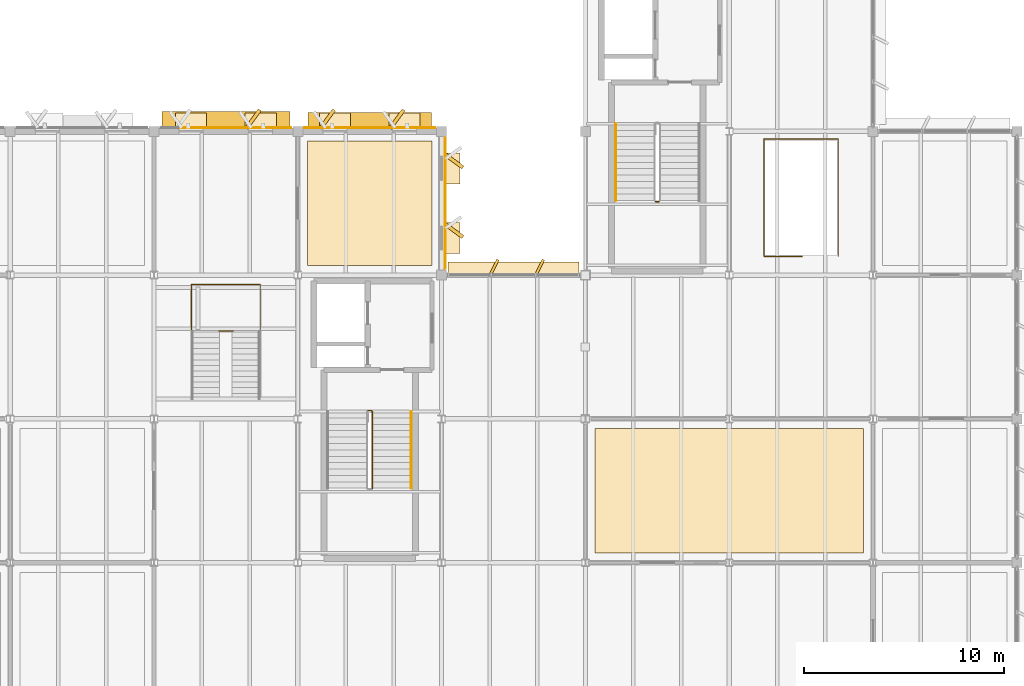
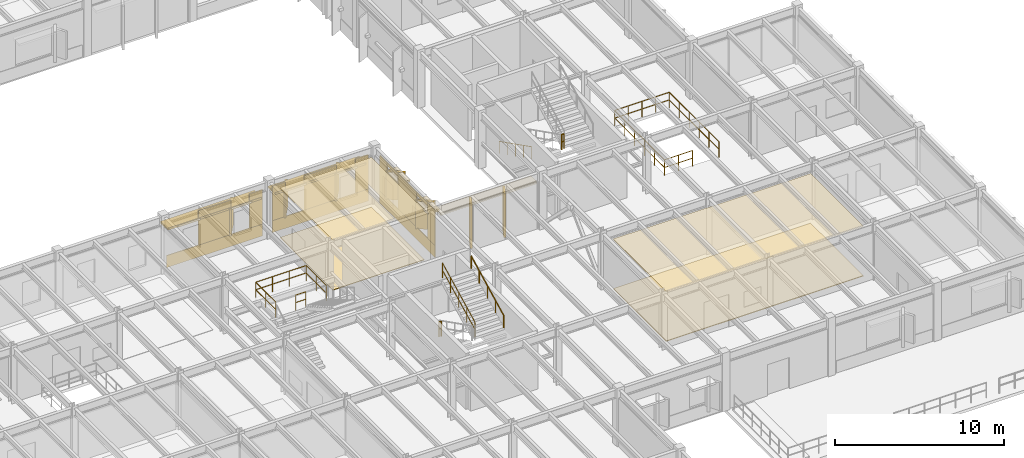
# One storey, part 78 of 85: 30 coverings, 8 railings, 2 shading devices.
"""IFC4 building model written with IfcOpenShell, lengths in metres."""

from ifc_helpers import new_model, si_unit, direction, frame, frame_2d, origin, origin_2d, place, context, subcontext, project, spatial, polyline, rectangle, circle, outline, extrude, material, layer, layer_set, type_object, element, save


model = new_model("IFC4")

# Units and contexts
model_context = context("Model", 3, precision=1e-05, world=origin(), true_north=direction((0.0, 1.0)))
body_context = subcontext(model_context, "Body", "Model", "MODEL_VIEW")
ifc_project = project(units=[si_unit("LENGTHUNIT", "METRE"), si_unit("AREAUNIT", "SQUARE_METRE"), si_unit("VOLUMEUNIT", "CUBIC_METRE"), si_unit("PLANEANGLEUNIT", "RADIAN"), si_unit("MASSUNIT", "GRAM", prefix="KILO")], contexts=[model_context])

# Site, building, storey
site_placement = place(None, origin())
site = spatial("IfcSite", under=ifc_project, at=site_placement, CompositionType="ELEMENT")
building_placement = place(site_placement, origin())
building = spatial("IfcBuilding", under=site, at=building_placement, Name="Sillqori Civic Hall", CompositionType="ELEMENT")
storey_placement = place(building_placement, frame((0.0, 0.0, 9.89990234375)))
storey = spatial("IfcBuildingStorey", under=building, at=storey_placement, Name="L03", CompositionType="ELEMENT", Elevation=9.89990234375)

# Coverings
ifc_material_1 = material(Name="Acoustic Gypsum Board Assembly 28", Category="gypsum")
ifc_layer_1 = layer(ifc_material_1, 0.028076171875)
ifc_layer_set_1 = layer_set([ifc_layer_1], Name="Acoustic Gypsum Board Assembly 28")
covering_type_1 = type_object("IfcCoveringType", Name="COV-CEIL-G28", PredefinedType="CEILING", material=ifc_layer_set_1)
covering_1_placement = place(storey_placement, frame((0.0, 0.0, 3.593017578125)))
element("IfcCovering", 1, at=covering_1_placement, inside=storey, type_object=covering_type_1, Name="Youth Municipal Council Workshop Studio L03-19 acoustic ceiling", PredefinedType="CEILING", context=body_context, shape_type="SweptSolid", body=[
    extrude(outline(polyline([(108.47998046875, 50.8798828125), (114.719970703125, 50.8798828125), (114.719970703125, 57.1201171875), (108.47998046875, 57.1201171875), (108.47998046875, 50.8798828125)])), origin(), (0.0, 0.0, 1.0), 0.028076171875),
])
ifc_material_2 = material(Name="Andean Cedar Slatted Baffle 46", Category="timber")
ifc_layer_2 = layer(ifc_material_2, 0.0458984375)
ifc_layer_set_2 = layer_set([ifc_layer_2], Name="Andean Cedar Slatted Baffle 46")
covering_type_2 = type_object("IfcCoveringType", Name="COV-CEIL-T46", PredefinedType="CEILING", material=ifc_layer_set_2)
covering_2_placement = place(storey_placement, frame((0.0, 0.0, 3.5751953125)))
element("IfcCovering", 2, at=covering_2_placement, inside=storey, type_object=covering_type_2, Name="Members Library Quiet Study Reading Room acoustic ceiling", PredefinedType="CEILING", context=body_context, shape_type="SweptSolid", body=[
    extrude(outline(polyline([(122.8798828125, 36.47998046875), (136.320068359375, 36.47998046875), (136.320068359375, 42.719970703125), (122.8798828125, 42.719970703125), (122.8798828125, 36.47998046875)])), origin(), (0.0, 0.0, 1.0), 0.0458984375),
])
ifc_material_3 = material(Name="Cochabamba Honed Limestone Cladding", Category="masonry")
ifc_layer_3 = layer(ifc_material_3, 0.044921875)
ifc_layer_set_3 = layer_set([ifc_layer_3], Name="Cochabamba Honed Limestone Cladding")
covering_type_3 = type_object("IfcCoveringType", Name="COV-CLAD-LIME", PredefinedType="CLADDING", material=ifc_layer_set_3)
covering_3_placement = place(storey_placement, frame((101.1298828125, 57.780029296875, 0.0400390625), z_axis=(0.0, 0.0, 1.0), x_axis=(1.0, 0.0, 0.0)))
element("IfcCovering", 3, at=covering_3_placement, inside=storey, type_object=covering_type_3, Name="L03 limestone spandrel cladding L03-14-07-N", PredefinedType="CLADDING", context=body_context, shape_type="SweptSolid", body=[
    extrude(rectangle(XDim=6.5400390625, YDim=0.044921875, at=frame_2d((3.27001953125, 0.0))), origin(), (0.0, 0.0, 1.0), 0.860107421875),
])
covering_4_placement = place(storey_placement, frame((103.298095703125, 57.780029296875, 0.900146484375), z_axis=(0.0, 0.0, 1.0), x_axis=(1.0, 0.0, 0.0)))
element("IfcCovering", 4, at=covering_4_placement, inside=storey, type_object=covering_type_3, Name="L03 Wedge Hall limestone pier cladding L03-14-07-N.2", PredefinedType="CLADDING", context=body_context, shape_type="SweptSolid", body=[
    extrude(rectangle(XDim=2.203857421875, YDim=0.044921875, at=frame_2d((1.10205078125, 0.0))), origin(), (0.0, 0.0, 1.0), 2.47802734375),
])
covering_5_placement = place(storey_placement, frame((106.781982421875, 57.780029296875, 0.900146484375), z_axis=(0.0, 0.0, 1.0), x_axis=(1.0, 0.0, 0.0)))
element("IfcCovering", 5, at=covering_5_placement, inside=storey, type_object=covering_type_3, Name="L03 Wedge Hall limestone pier cladding L03-14-07-N.3", PredefinedType="CLADDING", context=body_context, shape_type="SweptSolid", body=[
    extrude(rectangle(XDim=0.887939453125, YDim=0.044921875, at=frame_2d((0.44384765625, 0.0))), origin(), (0.0, 0.0, 1.0), 2.47802734375),
])
covering_6_placement = place(storey_placement, frame((101.8779296875, 58.1201171875, 2.690185546875), z_axis=(0.0, 0.0, 1.0), x_axis=(1.0, 0.0, 0.0)))
element("IfcCovering", 6, at=covering_6_placement, inside=storey, type_object=covering_type_3, Name="Sawtooth limestone window hood L03-14-07-N.1", PredefinedType="CLADDING", context=body_context, shape_type="SweptSolid", body=[
    extrude(rectangle(XDim=1.56005859375, YDim=0.780029296875, at=frame_2d((0.780029296875, 0.0))), origin(), (0.0, 0.0, 1.0), 0.139892578125),
])
covering_7_placement = place(storey_placement, frame((105.422119140625, 57.739990234375, 0.830078125), z_axis=(0.0, 0.0, 1.0), x_axis=(0.587666635914, 0.809103160934, 0.0)))
element("IfcCovering", 7, at=covering_7_placement, inside=storey, type_object=covering_type_3, Name="Sawtooth limestone angled reveal cheek L03-14-07-N.2", PredefinedType="CLADDING", context=body_context, shape_type="SweptSolid", body=[
    extrude(rectangle(XDim=1.14990234375, YDim=0.179931640625, at=frame_2d((0.574951171875, 0.0))), origin(), (0.0, 0.0, 1.0), 2.0),
])
covering_8_placement = place(storey_placement, frame((105.362060546875, 58.1201171875, 2.690185546875), z_axis=(0.0, 0.0, 1.0), x_axis=(1.0, 0.0, 0.0)))
element("IfcCovering", 8, at=covering_8_placement, inside=storey, type_object=covering_type_3, Name="Sawtooth limestone window hood L03-14-07-N.2", PredefinedType="CLADDING", context=body_context, shape_type="SweptSolid", body=[
    extrude(rectangle(XDim=1.56005859375, YDim=0.780029296875, at=frame_2d((0.780029296875, 0.0))), origin(), (0.0, 0.0, 1.0), 0.139892578125),
])
covering_9_placement = place(storey_placement, frame((108.330078125, 57.780029296875, 0.0400390625), z_axis=(0.0, 0.0, 1.0), x_axis=(1.0, 0.0, 0.0)))
element("IfcCovering", 9, at=covering_9_placement, inside=storey, type_object=covering_type_3, Name="L03 limestone spandrel cladding L03-15-07-N", PredefinedType="CLADDING", context=body_context, shape_type="SweptSolid", body=[
    extrude(rectangle(XDim=6.5400390625, YDim=0.044921875, at=frame_2d((3.27001953125, 0.0))), origin(), (0.0, 0.0, 1.0), 0.860107421875),
])
covering_10_placement = place(storey_placement, frame((108.330078125, 57.780029296875, 0.900146484375), z_axis=(0.0, 0.0, 1.0), x_axis=(1.0, 0.0, 0.0)))
element("IfcCovering", 10, at=covering_10_placement, inside=storey, type_object=covering_type_3, Name="L03 Wedge Hall limestone pier cladding L03-15-07-N.1", PredefinedType="CLADDING", context=body_context, shape_type="SweptSolid", body=[
    extrude(rectangle(XDim=0.887939453125, YDim=0.044921875, at=frame_2d((0.44384765625, 0.0))), origin(), (0.0, 0.0, 1.0), 2.47802734375),
])
covering_11_placement = place(storey_placement, frame((110.498046875, 57.780029296875, 0.900146484375), z_axis=(0.0, 0.0, 1.0), x_axis=(1.0, 0.0, 0.0)))
element("IfcCovering", 11, at=covering_11_placement, inside=storey, type_object=covering_type_3, Name="L03 Wedge Hall limestone pier cladding L03-15-07-N.2", PredefinedType="CLADDING", context=body_context, shape_type="SweptSolid", body=[
    extrude(rectangle(XDim=2.203857421875, YDim=0.044921875, at=frame_2d((1.10205078125, 0.0))), origin(), (0.0, 0.0, 1.0), 2.47802734375),
])
covering_12_placement = place(storey_placement, frame((113.98193359375, 57.780029296875, 0.900146484375), z_axis=(0.0, 0.0, 1.0), x_axis=(1.0, 0.0, 0.0)))
element("IfcCovering", 12, at=covering_12_placement, inside=storey, type_object=covering_type_3, Name="L03 Wedge Hall limestone pier cladding L03-15-07-N.3", PredefinedType="CLADDING", context=body_context, shape_type="SweptSolid", body=[
    extrude(rectangle(XDim=0.88818359375, YDim=0.044921875, at=frame_2d((0.444091796875, 0.0))), origin(), (0.0, 0.0, 1.0), 2.47802734375),
])
covering_13_placement = place(storey_placement, frame((109.137939453125, 57.739990234375, 0.830078125), z_axis=(0.0, 0.0, 1.0), x_axis=(0.587805596445, 0.809002213092, 0.0)))
element("IfcCovering", 13, at=covering_13_placement, inside=storey, type_object=covering_type_3, Name="Sawtooth limestone angled reveal cheek L03-15-07-N.1", PredefinedType="CLADDING", context=body_context, shape_type="SweptSolid", body=[
    extrude(rectangle(XDim=1.150146484375, YDim=0.179931640625, at=frame_2d((0.5751953125, 0.0))), origin(), (0.0, 0.0, 1.0), 2.0),
])
covering_14_placement = place(storey_placement, frame((109.077880859375, 58.1201171875, 2.690185546875), z_axis=(0.0, 0.0, 1.0), x_axis=(1.0, 0.0, 0.0)))
element("IfcCovering", 14, at=covering_14_placement, inside=storey, type_object=covering_type_3, Name="Sawtooth limestone window hood L03-15-07-N.1", PredefinedType="CLADDING", context=body_context, shape_type="SweptSolid", body=[
    extrude(rectangle(XDim=1.56005859375, YDim=0.780029296875, at=frame_2d((0.780029296875, 0.0))), origin(), (0.0, 0.0, 1.0), 0.139892578125),
])
covering_15_placement = place(storey_placement, frame((112.6220703125, 57.739990234375, 0.830078125), z_axis=(0.0, 0.0, 1.0), x_axis=(0.587805596445, 0.809002213092, 0.0)))
element("IfcCovering", 15, at=covering_15_placement, inside=storey, type_object=covering_type_3, Name="Sawtooth limestone angled reveal cheek L03-15-07-N.2", PredefinedType="CLADDING", context=body_context, shape_type="SweptSolid", body=[
    extrude(rectangle(XDim=1.150146484375, YDim=0.179931640625, at=frame_2d((0.5751953125, 0.0))), origin(), (0.0, 0.0, 1.0), 2.0),
])
covering_16_placement = place(storey_placement, frame((112.56201171875, 58.1201171875, 2.690185546875), z_axis=(0.0, 0.0, 1.0), x_axis=(1.0, 0.0, 0.0)))
element("IfcCovering", 16, at=covering_16_placement, inside=storey, type_object=covering_type_3, Name="Sawtooth limestone window hood L03-15-07-N.2", PredefinedType="CLADDING", context=body_context, shape_type="SweptSolid", body=[
    extrude(rectangle(XDim=1.56005859375, YDim=0.780029296875, at=frame_2d((0.780029296875, 0.0))), origin(), (0.0, 0.0, 1.0), 0.139892578125),
])
covering_17_placement = place(storey_placement, frame((115.3798828125, 57.27001953125, 0.0400390625), z_axis=(0.0, 0.0, 1.0), x_axis=(0.0, -1.0, 0.0)))
element("IfcCovering", 17, at=covering_17_placement, inside=storey, type_object=covering_type_3, Name="L03 limestone spandrel cladding L03-15-07-E", PredefinedType="CLADDING", context=body_context, shape_type="SweptSolid", body=[
    extrude(rectangle(XDim=6.5400390625, YDim=0.044921875, at=frame_2d((3.27001953125, 0.0))), origin(), (0.0, 0.0, 1.0), 0.860107421875),
])
covering_18_placement = place(storey_placement, frame((115.3798828125, 57.27001953125, 3.22021484375), z_axis=(0.0, 0.0, 1.0), x_axis=(0.0, -1.0, 0.0)))
element("IfcCovering", 18, at=covering_18_placement, inside=storey, type_object=covering_type_3, Name="L03 limestone frieze cladding L03-15-07-E", PredefinedType="CLADDING", context=body_context, shape_type="SweptSolid", body=[
    extrude(rectangle(XDim=6.5400390625, YDim=0.044921875, at=frame_2d((3.27001953125, 0.0))), origin(), (0.0, 0.0, 1.0), 0.226806640625),
])
covering_19_placement = place(storey_placement, frame((115.3798828125, 57.27001953125, 0.900146484375), z_axis=(0.0, 0.0, 1.0), x_axis=(0.0, -1.0, 0.0)))
element("IfcCovering", 19, at=covering_19_placement, inside=storey, type_object=covering_type_3, Name="L03 Wedge Hall limestone pier cladding L03-15-07-E.1", PredefinedType="CLADDING", context=body_context, shape_type="SweptSolid", body=[
    extrude(rectangle(XDim=0.887939453125, YDim=0.044921875, at=frame_2d((0.44384765625, 0.0))), origin(), (0.0, 0.0, 1.0), 2.546875),
])
covering_20_placement = place(storey_placement, frame((115.3798828125, 55.10205078125, 0.900146484375), z_axis=(0.0, 0.0, 1.0), x_axis=(0.0, -1.0, 0.0)))
element("IfcCovering", 20, at=covering_20_placement, inside=storey, type_object=covering_type_3, Name="L03 Wedge Hall limestone pier cladding L03-15-07-E.2", PredefinedType="CLADDING", context=body_context, shape_type="SweptSolid", body=[
    extrude(rectangle(XDim=2.2041015625, YDim=0.044921875, at=frame_2d((1.10205078125, 0.0))), origin(), (0.0, 0.0, 1.0), 2.546875),
])
covering_21_placement = place(storey_placement, frame((115.3798828125, 51.617919921875, 0.900146484375), z_axis=(0.0, 0.0, 1.0), x_axis=(0.0, -1.0, 0.0)))
element("IfcCovering", 21, at=covering_21_placement, inside=storey, type_object=covering_type_3, Name="L03 Wedge Hall limestone pier cladding L03-15-07-E.3", PredefinedType="CLADDING", context=body_context, shape_type="SweptSolid", body=[
    extrude(rectangle(XDim=0.887939453125, YDim=0.044921875, at=frame_2d((0.44384765625, 0.0))), origin(), (0.0, 0.0, 1.0), 2.546875),
])
covering_22_placement = place(storey_placement, frame((115.340087890625, 56.4619140625, 0.830078125), z_axis=(0.0, 0.0, 1.0), x_axis=(0.809002213092, -0.587805596445, 0.0)))
element("IfcCovering", 22, at=covering_22_placement, inside=storey, type_object=covering_type_3, Name="Sawtooth limestone angled reveal cheek L03-15-07-E.1", PredefinedType="CLADDING", context=body_context, shape_type="SweptSolid", body=[
    extrude(rectangle(XDim=1.150146484375, YDim=0.179931640625, at=frame_2d((0.5751953125, 0.0))), origin(), (0.0, 0.0, 1.0), 2.0),
])
covering_23_placement = place(storey_placement, frame((115.719970703125, 56.52197265625, 2.690185546875), z_axis=(0.0, 0.0, 1.0), x_axis=(0.0, -1.0, 0.0)))
element("IfcCovering", 23, at=covering_23_placement, inside=storey, type_object=covering_type_3, Name="Sawtooth limestone window hood L03-15-07-E.1", PredefinedType="CLADDING", context=body_context, shape_type="SweptSolid", body=[
    extrude(rectangle(XDim=1.56005859375, YDim=0.780029296875, at=frame_2d((0.780029296875, 0.0))), origin(), (0.0, 0.0, 1.0), 0.139892578125),
])
covering_24_placement = place(storey_placement, frame((115.340087890625, 52.97802734375, 0.830078125), z_axis=(0.0, 0.0, 1.0), x_axis=(0.809002213092, -0.587805596445, 0.0)))
element("IfcCovering", 24, at=covering_24_placement, inside=storey, type_object=covering_type_3, Name="Sawtooth limestone angled reveal cheek L03-15-07-E.2", PredefinedType="CLADDING", context=body_context, shape_type="SweptSolid", body=[
    extrude(rectangle(XDim=1.150146484375, YDim=0.179931640625, at=frame_2d((0.5751953125, 0.0))), origin(), (0.0, 0.0, 1.0), 2.0),
])
covering_25_placement = place(storey_placement, frame((115.719970703125, 53.0380859375, 2.690185546875), z_axis=(0.0, 0.0, 1.0), x_axis=(0.0, -1.0, 0.0)))
element("IfcCovering", 25, at=covering_25_placement, inside=storey, type_object=covering_type_3, Name="Sawtooth limestone window hood L03-15-07-E.2", PredefinedType="CLADDING", context=body_context, shape_type="SweptSolid", body=[
    extrude(rectangle(XDim=1.56005859375, YDim=0.780029296875, at=frame_2d((0.780029296875, 0.0))), origin(), (0.0, 0.0, 1.0), 0.139892578125),
])
covering_26_placement = place(storey_placement, frame((115.530029296875, 50.719970703125, 3.218017578125), z_axis=(0.0, 0.0, 1.0), x_axis=(1.0, 0.0, 0.0)))
element("IfcCovering", 26, at=covering_26_placement, inside=storey, type_object=covering_type_3, Name="L03 curtain-wall limestone solar hood L03-16-06-N", PredefinedType="CLADDING", context=body_context, shape_type="SweptSolid", body=[
    extrude(rectangle(XDim=6.5400390625, YDim=0.679931640625, at=frame_2d((3.27001953125, 0.0))), origin(), (0.0, 0.0, 1.0), 0.18017578125),
])
for number, where, z_axis, x_axis, name in (
    (27, (117.660888671875, 50.449951171875, 0.06005859375), (0.0, 0.0, 1.0), (0.447334902547, 0.894366527193, 0.0), "L03 curtain-wall angled stone fin L03-16-06-N.1"),
    (28, (119.93896484375, 50.449951171875, 0.06005859375), (0.0, 0.0, 1.0), (0.447334902547, 0.894366527193, 0.0), "L03 curtain-wall angled stone fin L03-16-06-N.2"),
):
    element("IfcCovering", number, at=place(storey_placement, frame(where, z_axis=z_axis, x_axis=x_axis)), inside=storey, type_object=covering_type_3, Name=name, PredefinedType="CLADDING", context=body_context, shape_type="SweptSolid", body=[
        extrude(rectangle(XDim=0.804931640625, YDim=0.139892578125, at=frame_2d((0.40234375, 0.0))), origin(), (0.0, 0.0, 1.0), 3.157958984375),
    ])
ifc_material_4 = material(Name="Honed Comanche Sandstone Paving 38", Category="masonry")
ifc_layer_4 = layer(ifc_material_4, 0.0380859375)
ifc_layer_set_4 = layer_set([ifc_layer_4], Name="Honed Comanche Sandstone Paving 38")
covering_type_4 = type_object("IfcCoveringType", Name="COV-FLR-S38", PredefinedType="FLOORING", material=ifc_layer_set_4)
covering_27_placement = place(storey_placement, origin())
element("IfcCovering", 29, at=covering_27_placement, inside=storey, type_object=covering_type_4, Name="Youth Municipal Council Workshop Studio L03-19 floor finish", PredefinedType="FLOORING", context=body_context, shape_type="SweptSolid", body=[
    extrude(outline(polyline([(108.47998046875, 50.8798828125), (114.719970703125, 50.8798828125), (114.719970703125, 57.1201171875), (108.47998046875, 57.1201171875), (108.47998046875, 50.8798828125)])), origin(), (0.0, 0.0, 1.0), 0.0380859375),
])
ifc_material_5 = material(Name="Thick Ceremonial Limestone Flagstone 50", Category="masonry")
ifc_layer_5 = layer(ifc_material_5, 0.050048828125)
ifc_layer_set_5 = layer_set([ifc_layer_5], Name="Thick Ceremonial Limestone Flagstone 50")
covering_type_5 = type_object("IfcCoveringType", Name="COV-FLR-S50", PredefinedType="FLOORING", material=ifc_layer_set_5)
covering_28_placement = place(storey_placement, origin())
element("IfcCovering", 30, at=covering_28_placement, inside=storey, type_object=covering_type_5, Name="Members Library Quiet Study Reading Room floor finish", PredefinedType="FLOORING", context=body_context, shape_type="SweptSolid", body=[
    extrude(outline(polyline([(122.8798828125, 36.47998046875), (136.320068359375, 36.47998046875), (136.320068359375, 42.719970703125), (122.8798828125, 42.719970703125), (122.8798828125, 36.47998046875)])), origin(), (0.0, 0.0, 1.0), 0.050048828125),
])

# Railings
ifc_material_6 = material(Name="Architectural Bronze and Tempered Glass Balustrade", Category="glass")
ifc_layer_6 = layer(ifc_material_6, 0.080078125)
ifc_layer_set_6 = layer_set([ifc_layer_6], Name="Architectural Bronze and Tempered Glass Balustrade")
railing_type_1 = type_object("IfcRailingType", Name="RLG-BALU-115", PredefinedType="BALUSTRADE", material=ifc_layer_set_6)
railing_1_placement = place(storey_placement, frame((133.260009765625, 51.340087890625, 0.0)))
element("IfcRailing", 31, at=railing_1_placement, inside=storey, type_object=railing_type_1, Name="Members Library Stacks Stair L02-L03 upper atrium well balustrade", PredefinedType="BALUSTRADE", context=body_context, shape_type="SweptSolid", body=[
    extrude(circle(Radius=0.02392578125, at=origin_2d()), frame((0.0, 0.0, 1.1259765625), z_axis=(-1.0, 0.0, 0.0), x_axis=(0.0, -1.0, 0.0)), (0.0, 0.0, 1.0), 1.919921875),
    extrude(circle(Radius=0.02392578125, at=origin_2d()), frame((0.0, 0.0, 0.574951171875), z_axis=(-1.0, 0.0, 0.0), x_axis=(0.0, -1.0, 0.0)), (0.0, 0.0, 1.0), 1.919921875),
    extrude(circle(Radius=0.02392578125, at=origin_2d()), frame((-1.919921875, 0.0, 1.1259765625), z_axis=(0.0, 1.0, 0.0), x_axis=(-1.0, 0.0, 0.0)), (0.0, 0.0, 1.0), 5.869873046875),
    extrude(circle(Radius=0.02392578125, at=origin_2d()), frame((-1.919921875, 0.0, 0.574951171875), z_axis=(0.0, 1.0, 0.0), x_axis=(-1.0, 0.0, 0.0)), (0.0, 0.0, 1.0), 5.869873046875),
    extrude(circle(Radius=0.02392578125, at=origin_2d()), frame((-1.919921875, 5.869873046875, 1.1259765625), z_axis=(1.0, 0.0, 0.0), x_axis=(0.0, 1.0, 0.0)), (0.0, 0.0, 1.0), 3.719970703125),
    extrude(circle(Radius=0.02392578125, at=origin_2d()), frame((-1.919921875, 5.869873046875, 0.574951171875), z_axis=(1.0, 0.0, 0.0), x_axis=(0.0, 1.0, 0.0)), (0.0, 0.0, 1.0), 3.719970703125),
    extrude(circle(Radius=0.02392578125, at=origin_2d()), frame((1.800048828125, 5.869873046875, 1.1259765625), z_axis=(0.0, -1.0, 0.0), x_axis=(1.0, 0.0, 0.0)), (0.0, 0.0, 1.0), 5.869873046875),
    extrude(circle(Radius=0.02392578125, at=origin_2d()), frame((1.800048828125, 5.869873046875, 0.574951171875), z_axis=(0.0, -1.0, 0.0), x_axis=(1.0, 0.0, 0.0)), (0.0, 0.0, 1.0), 5.869873046875),
    extrude(circle(Radius=0.02099609375, at=origin_2d()), origin(), (0.0, 0.0, 1.0), 1.101806640625),
    extrude(circle(Radius=0.02099609375, at=origin_2d()), frame((-0.9599609375, 0.0, 0.0)), (0.0, 0.0, 1.0), 1.101806640625),
    extrude(circle(Radius=0.02099609375, at=origin_2d()), frame((-1.919921875, 0.0, 0.0)), (0.0, 0.0, 1.0), 1.101806640625),
    extrude(circle(Radius=0.02099609375, at=origin_2d()), frame((-1.919921875, 1.174072265625, 0.0)), (0.0, 0.0, 1.0), 1.101806640625),
    extrude(circle(Radius=0.02099609375, at=origin_2d()), frame((-1.919921875, 2.347900390625, 0.0)), (0.0, 0.0, 1.0), 1.101806640625),
    extrude(circle(Radius=0.02099609375, at=origin_2d()), frame((-1.919921875, 3.52197265625, 0.0)), (0.0, 0.0, 1.0), 1.101806640625),
    extrude(circle(Radius=0.02099609375, at=origin_2d()), frame((-1.919921875, 4.69580078125, 0.0)), (0.0, 0.0, 1.0), 1.101806640625),
    extrude(circle(Radius=0.02099609375, at=origin_2d()), frame((-1.919921875, 5.869873046875, 0.0)), (0.0, 0.0, 1.0), 1.101806640625),
    extrude(circle(Radius=0.02099609375, at=origin_2d()), frame((-0.989990234375, 5.869873046875, 0.0)), (0.0, 0.0, 1.0), 1.101806640625),
    extrude(circle(Radius=0.02099609375, at=origin_2d()), frame((-0.06005859375, 5.869873046875, 0.0)), (0.0, 0.0, 1.0), 1.101806640625),
    extrude(circle(Radius=0.02099609375, at=origin_2d()), frame((0.8701171875, 5.869873046875, 0.0)), (0.0, 0.0, 1.0), 1.101806640625),
    extrude(circle(Radius=0.02099609375, at=origin_2d()), frame((1.800048828125, 5.869873046875, 0.0)), (0.0, 0.0, 1.0), 1.101806640625),
    extrude(circle(Radius=0.02099609375, at=origin_2d()), frame((1.800048828125, 4.69580078125, 0.0)), (0.0, 0.0, 1.0), 1.101806640625),
    extrude(circle(Radius=0.02099609375, at=origin_2d()), frame((1.800048828125, 3.52197265625, 0.0)), (0.0, 0.0, 1.0), 1.101806640625),
    extrude(circle(Radius=0.02099609375, at=origin_2d()), frame((1.800048828125, 2.347900390625, 0.0)), (0.0, 0.0, 1.0), 1.101806640625),
    extrude(circle(Radius=0.02099609375, at=origin_2d()), frame((1.800048828125, 1.174072265625, 0.0)), (0.0, 0.0, 1.0), 1.101806640625),
    extrude(circle(Radius=0.02099609375, at=origin_2d()), frame((1.800048828125, 0.0, 0.0)), (0.0, 0.0, 1.0), 1.101806640625),
])
ifc_material_7 = material(Name="Brushed Stainless Steel 316 Handrail", Category="steel")
ifc_layer_7 = layer(ifc_material_7, 0.044921875)
ifc_layer_set_7 = layer_set([ifc_layer_7], Name="Brushed Stainless Steel 316 Handrail")
railing_type_2 = type_object("IfcRailingType", Name="RLG-CORE-092", PredefinedType="HANDRAIL", material=ifc_layer_set_7)
railing_2_placement = place(storey_placement, frame((123.909912109375, 57.969970703125, 0.16162109375)))
element("IfcRailing", 32, at=railing_2_placement, inside=storey, type_object=railing_type_2, Name="L03 ST-02 stair handrail 1", PredefinedType="HANDRAIL", context=body_context, shape_type="SweptSolid", body=[
    extrude(circle(Radius=0.02392578125, at=origin_2d()), frame((0.0, 0.0, 0.8759765625), z_axis=(0.0, -0.892706606903, 0.450638340569), x_axis=(1.0, 0.0, 0.0)), (0.0, 0.0, 1.0), 4.301513671875),
    extrude(circle(Radius=0.02099609375, at=origin_2d()), origin(), (0.0, 0.0, 1.0), 0.851806640625),
    extrude(circle(Radius=0.02099609375, at=origin_2d()), frame((0.0, -0.9599609375, 0.484619140625)), (0.0, 0.0, 1.0), 0.851806640625),
    extrude(circle(Radius=0.02099609375, at=origin_2d()), frame((0.0, -1.919921875, 0.96923828125)), (0.0, 0.0, 1.0), 0.851806640625),
    extrude(circle(Radius=0.02099609375, at=origin_2d()), frame((0.0, -2.880126953125, 1.453857421875)), (0.0, 0.0, 1.0), 0.851806640625),
    extrude(circle(Radius=0.02099609375, at=origin_2d()), frame((0.0, -3.840087890625, 1.9384765625)), (0.0, 0.0, 1.0), 0.851806640625),
])
railing_3_placement = place(storey_placement, frame((113.68994140625, 39.72998046875, 2.26171875)))
element("IfcRailing", 33, at=railing_3_placement, inside=storey, type_object=railing_type_2, Name="L03 ST-03 stair handrail 2", PredefinedType="HANDRAIL", context=body_context, shape_type="SweptSolid", body=[
    extrude(circle(Radius=0.02392578125, at=origin_2d()), frame((0.0, 0.0, 0.8759765625), z_axis=(0.0, 0.892706606903, 0.450638340569), x_axis=(-1.0, 0.0, 0.0)), (0.0, 0.0, 1.0), 4.301513671875),
    extrude(circle(Radius=0.02099609375, at=origin_2d()), origin(), (0.0, 0.0, 1.0), 0.851806640625),
    extrude(circle(Radius=0.02099609375, at=origin_2d()), frame((0.0, 0.9599609375, 0.484619140625)), (0.0, 0.0, 1.0), 0.851806640625),
    extrude(circle(Radius=0.02099609375, at=origin_2d()), frame((0.0, 1.919921875, 0.96923828125)), (0.0, 0.0, 1.0), 0.851806640625),
    extrude(circle(Radius=0.02099609375, at=origin_2d()), frame((0.0, 2.880126953125, 1.453857421875)), (0.0, 0.0, 1.0), 0.851806640625),
    extrude(circle(Radius=0.02099609375, at=origin_2d()), frame((0.0, 3.840087890625, 1.9384765625)), (0.0, 0.0, 1.0), 0.851806640625),
])
ifc_material_8 = material(Name="Galvanized Painted Steel Guardrail", Category="steel")
ifc_layer_8 = layer(ifc_material_8, 0.050048828125)
ifc_layer_set_8 = layer_set([ifc_layer_8], Name="Galvanized Painted Steel Guardrail")
railing_type_3 = type_object("IfcRailingType", Name="RLG-CORE-110", PredefinedType="GUARDRAIL", material=ifc_layer_set_8)
railing_4_placement = place(storey_placement, frame((125.919921875, 54.080078125, 2.10009765625)))
element("IfcRailing", 34, at=railing_4_placement, inside=storey, type_object=railing_type_3, Name="L03 ST-02 stair guard 2", PredefinedType="GUARDRAIL", context=body_context, shape_type="SweptSolid", body=[
    extrude(circle(Radius=0.02392578125, at=origin_2d()), frame((0.0, 0.0, 1.076171875), z_axis=(1.0, 0.0, 0.0), x_axis=(0.0, 1.0, 0.0)), (0.0, 0.0, 1.0), 0.16015625),
    extrude(circle(Radius=0.02392578125, at=origin_2d()), frame((0.0, 0.0, 0.550048828125), z_axis=(1.0, 0.0, 0.0), x_axis=(0.0, 1.0, 0.0)), (0.0, 0.0, 1.0), 0.16015625),
    extrude(circle(Radius=0.02099609375, at=origin_2d()), origin(), (0.0, 0.0, 1.0), 1.052001953125),
    extrude(circle(Radius=0.02099609375, at=origin_2d()), frame((0.16015625, 0.0, 0.0)), (0.0, 0.0, 1.0), 1.052001953125),
])
railing_5_placement = place(storey_placement, frame((111.72998046875, 39.72998046875, 2.26171875)))
element("IfcRailing", 35, at=railing_5_placement, inside=storey, type_object=railing_type_3, Name="L03 ST-03 stair guard 3", PredefinedType="GUARDRAIL", context=body_context, shape_type="SweptSolid", body=[
    extrude(circle(Radius=0.02392578125, at=origin_2d()), frame((0.0, 0.0, 1.076171875), z_axis=(0.0, 0.892706606903, 0.450638340569), x_axis=(-1.0, 0.0, 0.0)), (0.0, 0.0, 1.0), 4.301513671875),
    extrude(circle(Radius=0.02392578125, at=origin_2d()), frame((0.0, 0.0, 0.550048828125), z_axis=(0.0, 0.892706606903, 0.450638340569), x_axis=(-1.0, 0.0, 0.0)), (0.0, 0.0, 1.0), 4.301513671875),
    extrude(circle(Radius=0.02099609375, at=origin_2d()), origin(), (0.0, 0.0, 1.0), 1.052001953125),
    extrude(circle(Radius=0.02099609375, at=origin_2d()), frame((0.0, 0.9599609375, 0.484619140625)), (0.0, 0.0, 1.0), 1.052001953125),
    extrude(circle(Radius=0.02099609375, at=origin_2d()), frame((0.0, 1.919921875, 0.96923828125)), (0.0, 0.0, 1.0), 1.052001953125),
    extrude(circle(Radius=0.02099609375, at=origin_2d()), frame((0.0, 2.880126953125, 1.453857421875)), (0.0, 0.0, 1.0), 1.052001953125),
    extrude(circle(Radius=0.02099609375, at=origin_2d()), frame((0.0, 3.840087890625, 1.9384765625)), (0.0, 0.0, 1.0), 1.052001953125),
])
railing_6_placement = place(storey_placement, frame((111.52001953125, 43.6201171875, 0.0)))
element("IfcRailing", 36, at=railing_6_placement, inside=storey, type_object=railing_type_3, Name="L03 ST-03 stair guard 4", PredefinedType="GUARDRAIL", context=body_context, shape_type="SweptSolid", body=[
    extrude(circle(Radius=0.02392578125, at=origin_2d()), frame((0.0, 0.0, 1.076171875), z_axis=(1.0, 0.0, 0.0), x_axis=(0.0, 1.0, 0.0)), (0.0, 0.0, 1.0), 0.159912109375),
    extrude(circle(Radius=0.02392578125, at=origin_2d()), frame((0.0, 0.0, 0.550048828125), z_axis=(1.0, 0.0, 0.0), x_axis=(0.0, 1.0, 0.0)), (0.0, 0.0, 1.0), 0.159912109375),
    extrude(circle(Radius=0.02099609375, at=origin_2d()), origin(), (0.0, 0.0, 1.0), 1.052001953125),
    extrude(circle(Radius=0.02099609375, at=origin_2d()), frame((0.159912109375, 0.0, 0.0)), (0.0, 0.0, 1.0), 1.052001953125),
])
ifc_material_9 = material(Name="Stainless Steel 316 and Laminated Balustrade", Category="steel")
ifc_layer_9 = layer(ifc_material_9, 0.06005859375)
ifc_layer_set_9 = layer_set([ifc_layer_9], Name="Stainless Steel 316 and Laminated Balustrade")
railing_type_4 = type_object("IfcRailingType", Name="RLG-TERR-112", PredefinedType="GUARDRAIL", material=ifc_layer_set_9)
railing_7_placement = place(storey_placement, frame((102.679931640625, 47.56005859375, 2.10009765625)))
element("IfcRailing", 37, at=railing_7_placement, inside=storey, type_object=railing_type_4, Name="Wedge Atrium Upper East Stair L03-L04 half-landing guard", PredefinedType="GUARDRAIL", context=body_context, shape_type="SweptSolid", body=[
    extrude(circle(Radius=0.02392578125, at=origin_2d()), frame((0.0, 0.0, 1.09619140625), z_axis=(0.0, 1.0, 0.0), x_axis=(-1.0, 0.0, 0.0)), (0.0, 0.0, 1.0), 2.369873046875),
    extrude(circle(Radius=0.02392578125, at=origin_2d()), frame((0.0, 0.0, 0.56005859375), z_axis=(0.0, 1.0, 0.0), x_axis=(-1.0, 0.0, 0.0)), (0.0, 0.0, 1.0), 2.369873046875),
    extrude(circle(Radius=0.02392578125, at=origin_2d()), frame((0.0, 2.369873046875, 1.09619140625), z_axis=(1.0, 0.0, 0.0), x_axis=(0.0, 1.0, 0.0)), (0.0, 0.0, 1.0), 3.440185546875),
    extrude(circle(Radius=0.02392578125, at=origin_2d()), frame((0.0, 2.369873046875, 0.56005859375), z_axis=(1.0, 0.0, 0.0), x_axis=(0.0, 1.0, 0.0)), (0.0, 0.0, 1.0), 3.440185546875),
    extrude(circle(Radius=0.02392578125, at=origin_2d()), frame((3.440185546875, 2.369873046875, 1.09619140625), z_axis=(0.0, -1.0, 0.0), x_axis=(1.0, 0.0, 0.0)), (0.0, 0.0, 1.0), 2.369873046875),
    extrude(circle(Radius=0.02392578125, at=origin_2d()), frame((3.440185546875, 2.369873046875, 0.56005859375), z_axis=(0.0, -1.0, 0.0), x_axis=(1.0, 0.0, 0.0)), (0.0, 0.0, 1.0), 2.369873046875),
    extrude(circle(Radius=0.02099609375, at=origin_2d()), origin(), (0.0, 0.0, 1.0), 1.072021484375),
    extrude(circle(Radius=0.02099609375, at=origin_2d()), frame((0.0, 1.18505859375, 0.0)), (0.0, 0.0, 1.0), 1.072021484375),
    extrude(circle(Radius=0.02099609375, at=origin_2d()), frame((0.0, 2.369873046875, 0.0)), (0.0, 0.0, 1.0), 1.072021484375),
    extrude(circle(Radius=0.02099609375, at=origin_2d()), frame((1.146728515625, 2.369873046875, 0.0)), (0.0, 0.0, 1.0), 1.072021484375),
    extrude(circle(Radius=0.02099609375, at=origin_2d()), frame((2.29345703125, 2.369873046875, 0.0)), (0.0, 0.0, 1.0), 1.072021484375),
    extrude(circle(Radius=0.02099609375, at=origin_2d()), frame((3.440185546875, 2.369873046875, 0.0)), (0.0, 0.0, 1.0), 1.072021484375),
    extrude(circle(Radius=0.02099609375, at=origin_2d()), frame((3.440185546875, 1.18505859375, 0.0)), (0.0, 0.0, 1.0), 1.072021484375),
    extrude(circle(Radius=0.02099609375, at=origin_2d()), frame((3.440185546875, 0.0, 0.0)), (0.0, 0.0, 1.0), 1.072021484375),
])
railing_8_placement = place(storey_placement, frame((104.06005859375, 47.60009765625, 2.10009765625)))
element("IfcRailing", 38, at=railing_8_placement, inside=storey, type_object=railing_type_4, Name="Wedge Atrium Upper East Stair L03-L04 half-landing inner well guard", PredefinedType="GUARDRAIL", context=body_context, shape_type="SweptSolid", body=[
    extrude(circle(Radius=0.02392578125, at=origin_2d()), frame((0.0, 0.0, 1.09619140625), z_axis=(1.0, 0.0, 0.0), x_axis=(0.0, 1.0, 0.0)), (0.0, 0.0, 1.0), 0.679931640625),
    extrude(circle(Radius=0.02392578125, at=origin_2d()), frame((0.0, 0.0, 0.56005859375), z_axis=(1.0, 0.0, 0.0), x_axis=(0.0, 1.0, 0.0)), (0.0, 0.0, 1.0), 0.679931640625),
    extrude(circle(Radius=0.02099609375, at=origin_2d()), origin(), (0.0, 0.0, 1.0), 1.072021484375),
    extrude(circle(Radius=0.02099609375, at=origin_2d()), frame((0.679931640625, 0.0, 0.0)), (0.0, 0.0, 1.0), 1.072021484375),
])

# Shading devices
ifc_material_10 = material(Name="Anodized Aluminium Solar Control Louvre", Category="aluminium")
shading_device_type_1 = type_object("IfcShadingDeviceType", Name="SHD-HOOD-620", PredefinedType="JALOUSIE", material=ifc_material_10)
shading_device_1_placement = place(storey_placement, frame((111.60009765625, 58.14501953125, 2.72021484375), z_axis=(0.0, 0.0, 1.0), x_axis=(1.0, 0.0, 0.0)))
element("IfcShadingDevice", 39, at=shading_device_1_placement, inside=storey, type_object=shading_device_type_1, Name="L03 north solar hood L03-15-07-N", PredefinedType="JALOUSIE", context=body_context, shape_type="SweptSolid", body=[
    extrude(rectangle(XDim=6.199951171875, YDim=0.800048828125, at=origin_2d()), origin(), (0.0, 0.0, 1.0), 0.139892578125),
])
shading_device_type_2 = type_object("IfcShadingDeviceType", Name="SHD-HOOD-640", PredefinedType="JALOUSIE", material=ifc_material_10)
shading_device_2_placement = place(storey_placement, frame((104.39990234375, 58.169921875, 2.72021484375), z_axis=(0.0, 0.0, 1.0), x_axis=(1.0, 0.0, 0.0)))
element("IfcShadingDevice", 40, at=shading_device_2_placement, inside=storey, type_object=shading_device_type_2, Name="L03 north solar hood L03-14-07-N", PredefinedType="JALOUSIE", context=body_context, shape_type="SweptSolid", body=[
    extrude(rectangle(XDim=6.39990234375, YDim=0.85009765625, at=origin_2d()), origin(), (0.0, 0.0, 1.0), 0.139892578125),
])

save(model, "model.ifc")
